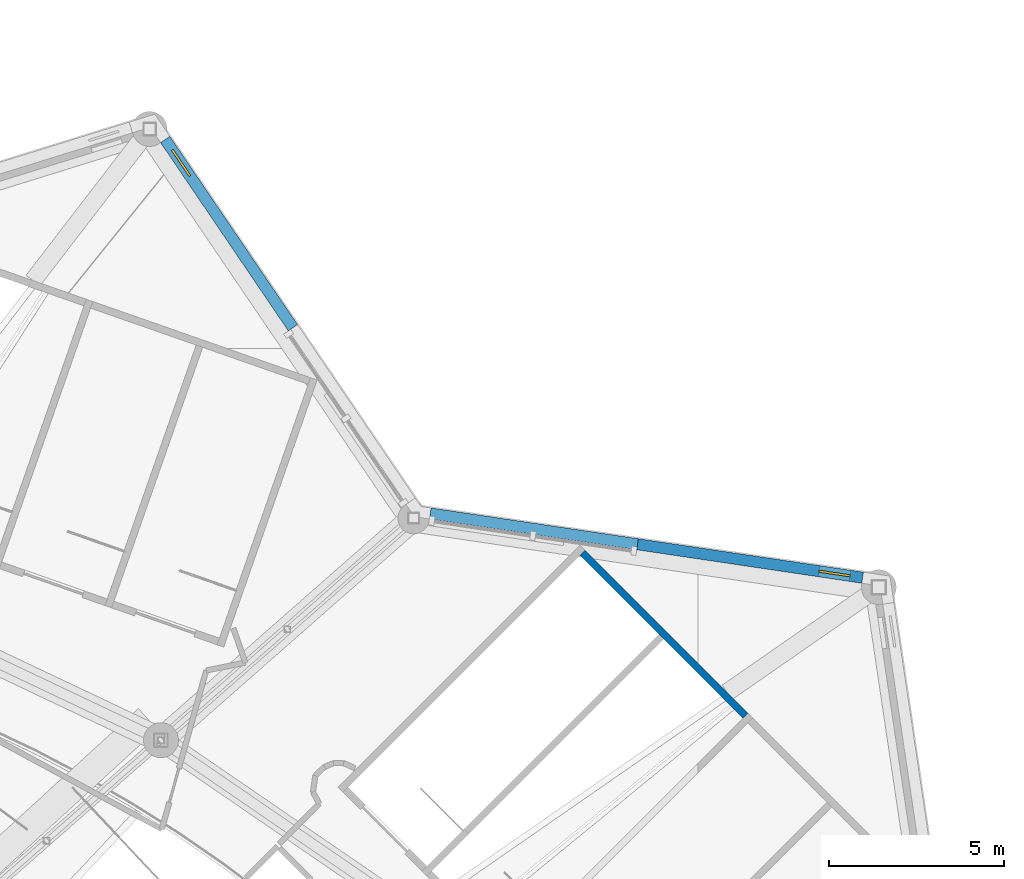
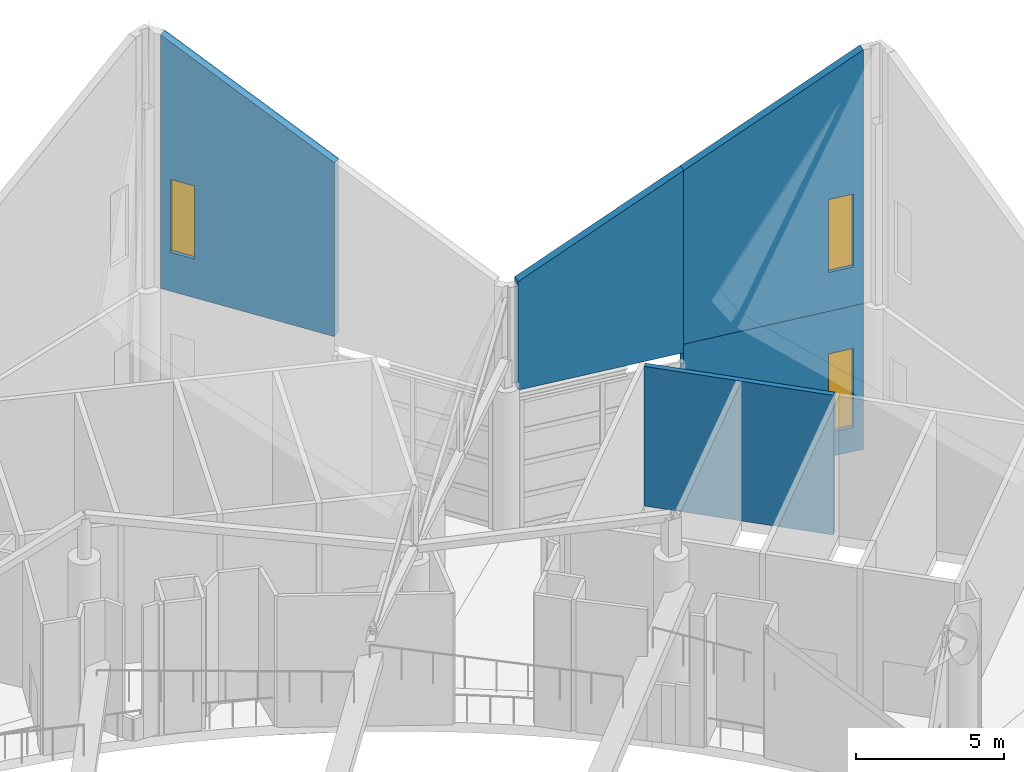
# One storey, part 275 of 344: 5 walls, 3 windows, 3 openings.
"""IFC4 building model written with IfcOpenShell, lengths in metres."""

from ifc_helpers import new_model, si_unit, direction, frame, frame_2d, origin, place, context, subcontext, project, spatial, polyline, rectangle, outline, extrude, material, layer, layer_set, type_object, element, fill, save


model = new_model("IFC4")

# Units and contexts
model_context = context("Model", 3, precision=1e-05, world=origin(), true_north=direction((0.0, 1.0)))
body_context = subcontext(model_context, "Body", "Model", "MODEL_VIEW")
ifc_project = project(units=[si_unit("LENGTHUNIT", "METRE"), si_unit("AREAUNIT", "SQUARE_METRE"), si_unit("VOLUMEUNIT", "CUBIC_METRE"), si_unit("PLANEANGLEUNIT", "RADIAN"), si_unit("MASSUNIT", "GRAM", prefix="KILO")], contexts=[model_context])

# Site, building, storey
site_placement = place(None, origin())
site = spatial("IfcSite", under=ifc_project, at=site_placement, CompositionType="ELEMENT")
building_placement = place(site_placement, origin())
building = spatial("IfcBuilding", under=site, at=building_placement, Name="Meseta Stadium", CompositionType="ELEMENT")
storey_placement = place(building_placement, frame((0.0, 0.0, 24.0)))
storey = spatial("IfcBuildingStorey", under=building, at=storey_placement, Name="L04", CompositionType="ELEMENT", Elevation=24.0)

# Wall
ifc_material_1 = material(Name="Concrete C40/50", Category="concrete")
ifc_layer_1 = layer(ifc_material_1, 0.199951171875)
ifc_layer_set_1 = layer_set([ifc_layer_1], Name="Core shaft wall 200")
wall_type_1 = type_object("IfcWallType", Name="Core shaft wall 200", PredefinedType="SHEAR", material=ifc_layer_set_1)
wall_1_placement = place(storey_placement, frame((81.355224609375, 85.496826171875, 0.0), z_axis=(0.0, 0.0, 1.0), x_axis=(-0.707088285305, 0.707125276584, 0.0)))
element("IfcWall", 1, at=wall_1_placement, inside=storey, type_object=wall_type_1, Name="Core 07 L04 stair B outer end wall", PredefinedType="SHEAR", context=body_context, shape_type="SweptSolid", body=[
    extrude(rectangle(XDim=6.599853515625, YDim=0.199951171875, at=frame_2d((3.2998046875, 0.0))), origin(), (0.0, 0.0, 1.0), 5.75),
])

# Wall, opening, window
ifc_material_2 = material(Name="White precast concrete C40/50", Category="concrete")
ifc_layer_2 = layer(ifc_material_2, 0.320068359375)
ifc_layer_set_2 = layer_set([ifc_layer_2], Name="Pleated fascia panel 320 raked")
wall_type_2 = type_object("IfcWallType", Name="Pleated fascia panel 320 raked", PredefinedType="SOLIDWALL", material=ifc_layer_set_2)
wall_2_placement = place(storey_placement, frame((78.265625, 90.401611328125, 6.0), z_axis=(0.0, 0.0, 1.0), x_axis=(0.989154104726, -0.146881438937, 0.0)))
wall_2 = element("IfcWall", 2, at=wall_2_placement, inside=storey, type_object=wall_type_2, Name="Pleated fascia panel L04 F12", PredefinedType="SOLIDWALL", context=body_context, shape_type="SweptSolid", body=[
    extrude(outline(polyline([(0.0, 0.0), (6.513916015625, 0.0), (6.51416015625, 10.437744140625), (0.0, 7.1474609375), (0.0, 0.0)])), frame((0.0, 0.16015625, 0.0), z_axis=(0.0, -1.0, 0.0), x_axis=(1.0, 0.0, 0.0)), (0.0, 0.0, 1.0), 0.320068359375),
])
opening_1_placement = place(wall_2_placement, frame((5.25048828125, 0.0, 1.60009765625)))
opening_1 = element("IfcOpeningElement", 3, at=opening_1_placement, cuts=wall_2, Name="Opening W292", PredefinedType="OPENING", context=body_context, shape_type="SweptSolid", body=[
    extrude(rectangle(XDim=0.89990234375, YDim=3.0, at=frame_2d((0.449951171875, 1.5))), frame((0.0, 0.169921875, 0.0), z_axis=(0.0, -1.0, 0.0), x_axis=(1.0, 0.0, 0.0)), (0.0, 0.0, 1.0), 0.340087890625),
])
ifc_material_3 = material(Name="Aluminium", Category="aluminium")
window_type_1 = type_object("IfcWindowType", Name="Slot window 900x3000", PartitioningType="SINGLE_PANEL", PredefinedType="WINDOW", material=ifc_material_3)
window_1_placement = place(opening_1_placement, origin())
window_1 = element("IfcWindow", 4, at=window_1_placement, inside=storey, type_object=window_type_1, Name="Slot window L04 F12.6", OverallHeight=3.0, OverallWidth=0.89990234375, PartitioningType="SINGLE_PANEL", PredefinedType="WINDOW", context=body_context, shape_type="SweptSolid", body=[
    extrude(rectangle(XDim=0.89990234375, YDim=3.0, at=frame_2d((0.449951171875, 1.5))), frame((0.0, 0.030029296875, 0.0), z_axis=(0.0, -1.0, 0.0), x_axis=(1.0, 0.0, 0.0)), (0.0, 0.0, 1.0), 0.06005859375),
])
fill(opening_1, window_1)

# Wall
wall_3_placement = place(storey_placement, frame((72.330810546875, 91.28271484375, 5.64990234375), z_axis=(0.0, 0.0, 1.0), x_axis=(0.989158190862, -0.146853918747, 0.0)))
element("IfcWall", 5, at=wall_3_placement, inside=storey, type_object=wall_type_2, Name="Pleated facade panel above atrium F12", PredefinedType="SOLIDWALL", context=body_context, shape_type="SweptSolid", body=[
    extrude(outline(polyline([(0.0, 0.0), (5.999755859375, 0.0), (6.0, 7.49755859375), (0.0, 4.467041015625), (0.0, 0.0)])), frame((0.0, 0.16015625, 0.0), z_axis=(0.0, -1.0, 0.0), x_axis=(1.0, 0.0, 0.0)), (0.0, 0.0, 1.0), 0.320068359375),
])

# Wall, opening, window
wall_4_placement = place(storey_placement, frame((64.74365234375, 101.98974609375, 6.0), z_axis=(0.0, 0.0, 1.0), x_axis=(0.561489501614, -0.827483860614, 0.0)))
wall_4 = element("IfcWall", 6, at=wall_4_placement, inside=storey, type_object=wall_type_2, Name="Pleated fascia panel L04 F13", PredefinedType="SOLIDWALL", context=body_context, shape_type="SweptSolid", body=[
    extrude(outline(polyline([(0.0, 0.0), (6.512939453125, 0.0), (6.51318359375, 7.147705078125), (0.0, 10.4375), (0.0, 0.0)])), frame((0.0, 0.16015625, 0.0), z_axis=(0.0, -1.0, 0.0), x_axis=(1.0, 0.0, 0.0)), (0.0, 0.0, 1.0), 0.320068359375),
])
opening_2_placement = place(wall_4_placement, frame((0.363037109375, 0.0, 1.60009765625)))
opening_2 = element("IfcOpeningElement", 7, at=opening_2_placement, cuts=wall_4, Name="Opening W286", PredefinedType="OPENING", context=body_context, shape_type="SweptSolid", body=[
    extrude(rectangle(XDim=0.89990234375, YDim=3.0, at=frame_2d((0.449951171875, 1.5))), frame((0.0, 0.169921875, 0.0), z_axis=(0.0, -1.0, 0.0), x_axis=(1.0, 0.0, 0.0)), (0.0, 0.0, 1.0), 0.340087890625),
])
window_2_placement = place(opening_2_placement, origin())
window_2 = element("IfcWindow", 8, at=window_2_placement, inside=storey, type_object=window_type_1, Name="Slot window L04 F13.6", OverallHeight=3.0, OverallWidth=0.89990234375, PartitioningType="SINGLE_PANEL", PredefinedType="WINDOW", context=body_context, shape_type="SweptSolid", body=[
    extrude(rectangle(XDim=0.89990234375, YDim=3.0, at=frame_2d((0.449951171875, 1.5))), frame((0.0, 0.030029296875, 0.0), z_axis=(0.0, -1.0, 0.0), x_axis=(1.0, 0.0, 0.0)), (0.0, 0.0, 1.0), 0.06005859375),
])
fill(opening_2, window_2)

ifc_material_4 = material(Name="White precast concrete C40/50", Category="concrete")
ifc_layer_3 = layer(ifc_material_4, 0.320068359375)
ifc_layer_set_3 = layer_set([ifc_layer_3], Name="Pleated panel wall 320")
wall_type_3 = type_object("IfcWallType", Name="Pleated panel wall 320", PredefinedType="SOLIDWALL", material=ifc_layer_set_3)
wall_5_placement = place(storey_placement, frame((78.265625, 90.401611328125, 0.0), z_axis=(0.0, 0.0, 1.0), x_axis=(0.989154104726, -0.146881438937, 0.0)))
wall_5 = element("IfcWall", 9, at=wall_5_placement, inside=storey, type_object=wall_type_3, Name="Pleated facade panel L04 F12", PredefinedType="SOLIDWALL", context=body_context, shape_type="SweptSolid", body=[
    extrude(rectangle(XDim=6.513916015625, YDim=0.320068359375, at=frame_2d((3.2568359375, 0.0))), origin(), (0.0, 0.0, 1.0), 6.0),
])
opening_3_placement = place(wall_5_placement, frame((5.25048828125, 0.0, 1.0)))
opening_3 = element("IfcOpeningElement", 10, at=opening_3_placement, cuts=wall_5, Name="Opening W291", PredefinedType="OPENING", context=body_context, shape_type="SweptSolid", body=[
    extrude(rectangle(XDim=0.89990234375, YDim=3.25, at=frame_2d((0.449951171875, 1.625))), frame((0.0, 0.169921875, 0.0), z_axis=(0.0, -1.0, 0.0), x_axis=(1.0, 0.0, 0.0)), (0.0, 0.0, 1.0), 0.340087890625),
])
ifc_material_5 = material(Name="Aluminium", Category="aluminium")
window_type_2 = type_object("IfcWindowType", Name="Slot window 900x3250", PartitioningType="SINGLE_PANEL", PredefinedType="WINDOW", material=ifc_material_5)
window_3_placement = place(opening_3_placement, origin())
window_3 = element("IfcWindow", 11, at=window_3_placement, inside=storey, type_object=window_type_2, Name="Slot window L04 F12.6", OverallHeight=3.25, OverallWidth=0.89990234375, PartitioningType="SINGLE_PANEL", PredefinedType="WINDOW", context=body_context, shape_type="SweptSolid", body=[
    extrude(rectangle(XDim=0.89990234375, YDim=3.25, at=frame_2d((0.449951171875, 1.625))), frame((0.0, 0.030029296875, 0.0), z_axis=(0.0, -1.0, 0.0), x_axis=(1.0, 0.0, 0.0)), (0.0, 0.0, 1.0), 0.06005859375),
])
fill(opening_3, window_3)

save(model, "model.ifc")
